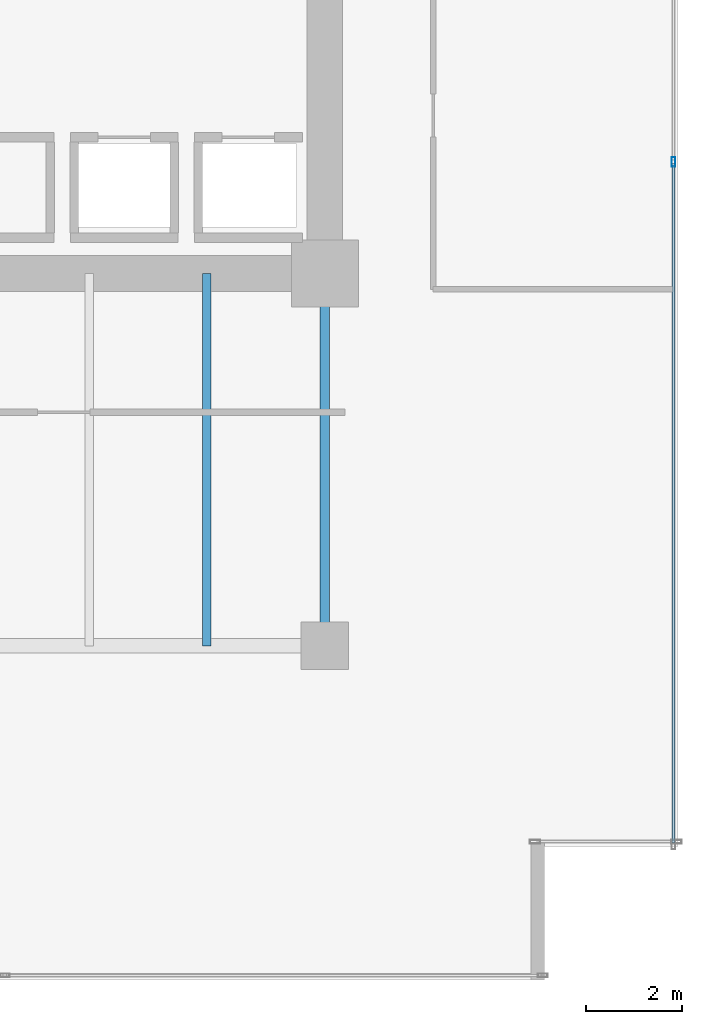
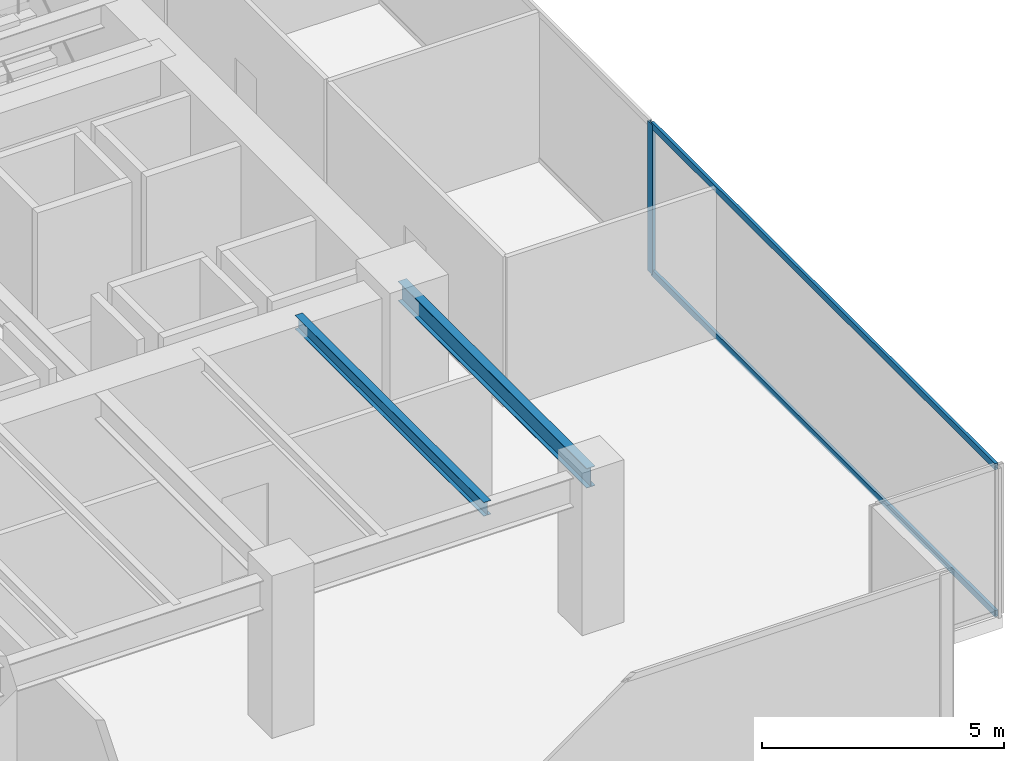
# One storey, part 24 of 35: 3 members, 2 beams, 1 element without a shape of its own.
"""IFC4 building model written with IfcOpenShell, lengths in metres."""

from ifc_helpers import new_model, si_unit, direction, frame, origin, origin_2d, place, context, subcontext, project, spatial, hollow_rectangle, i_section, extrude, source, transform, mapped, material, layer, layer_set, material_profile, profile_set, type_object, type_shapes, element, aggregate, save


model = new_model("IFC4")

# Units and contexts
model_context = context("Model", 3, precision=1e-05, world=origin(), true_north=direction((0.0, 1.0)))
body_context = subcontext(model_context, "Body", "Model", "MODEL_VIEW")
ifc_project = project(units=[si_unit("LENGTHUNIT", "METRE"), si_unit("AREAUNIT", "SQUARE_METRE"), si_unit("VOLUMEUNIT", "CUBIC_METRE"), si_unit("PLANEANGLEUNIT", "RADIAN"), si_unit("MASSUNIT", "GRAM", prefix="KILO")], contexts=[model_context])

# Site, building, storey
site_placement = place(None, origin())
site = spatial("IfcSite", under=ifc_project, at=site_placement, CompositionType="ELEMENT")
building_placement = place(site_placement, origin())
building = spatial("IfcBuilding", under=site, at=building_placement, Name="Haelvirn Gate Laboratories", CompositionType="ELEMENT")
storey_placement = place(building_placement, frame((0.0, 0.0, 66.199951171875)))
storey = spatial("IfcBuildingStorey", under=building, at=storey_placement, Name="L16", CompositionType="ELEMENT", Elevation=66.199951171875)

# Beams
ifc_material_1 = material(Name="Steel SM355", Category="steel")
ifc_material_profile_1 = material_profile(ifc_material_1, i_section(OverallWidth=0.199951171875, OverallDepth=0.5, WebThickness=0.010009765625, FlangeThickness=0.01611328125, at=origin_2d()), Name="H-500x200x10x16")
ifc_profile_set_1 = profile_set([ifc_material_profile_1], Name="Steel SM355")
beam_type_1 = type_object("IfcBeamType", Name="BM-SP-500", PredefinedType="SPANDREL", material=ifc_profile_set_1)
shared_shape_1 = source(origin(), body_context, "Body", "SweptSolid", [
    extrude(i_section(OverallWidth=0.199951171875, OverallDepth=0.5, WebThickness=0.010009765625, FlangeThickness=0.01611328125, at=origin_2d()), origin(), (0.0, 0.0, 1.0), 7.800048828125),
])
type_shapes(beam_type_1, [shared_shape_1])
beam_1_placement = place(storey_placement, frame((67.39990234375, 7.0, 3.530029296875), z_axis=(0.0, 1.0, 0.0), x_axis=(-1.0, 0.0, 0.0)))
element("IfcBeam", 1, at=beam_1_placement, inside=storey, type_object=beam_type_1, Name="L16 Perimeter Spandrel X67.4 (7.0-14.8)", PredefinedType="SPANDREL", context=body_context, shape_type="MappedRepresentation", body=[
    mapped(shared_shape_1, transform((0.0, 0.0, 0.0), scale=1.0)),
])
ifc_material_profile_2 = material_profile(ifc_material_1, i_section(OverallWidth=0.175048828125, OverallDepth=0.35009765625, WebThickness=0.007080078125, FlangeThickness=0.010986328125, at=origin_2d()), Name="H-350x175x7x11")
ifc_profile_set_2 = profile_set([ifc_material_profile_2], Name="Steel SM355")
beam_type_2 = type_object("IfcBeamType", Name="BM-J-350", PredefinedType="JOIST", material=ifc_profile_set_2)
shared_shape_2 = source(origin(), body_context, "Body", "SweptSolid", [
    extrude(i_section(OverallWidth=0.175048828125, OverallDepth=0.35009765625, WebThickness=0.007080078125, FlangeThickness=0.010986328125, at=origin_2d()), origin(), (0.0, 0.0, 1.0), 7.800048828125),
])
type_shapes(beam_type_2, [shared_shape_2])
beam_2_placement = place(storey_placement, frame((64.929931640625, 7.0, 3.60498046875), z_axis=(0.0, 1.0, 0.0), x_axis=(-1.0, 0.0, 0.0)))
element("IfcBeam", 2, at=beam_2_placement, inside=storey, type_object=beam_type_2, Name="L16 Composite Lab Joist South X64.93", PredefinedType="JOIST", context=body_context, shape_type="MappedRepresentation", body=[
    mapped(shared_shape_2, transform((0.0, 0.0, 0.0), scale=1.0)),
])

# Curtain wall, members
ifc_material_2 = material(Name="Anodised bronze unitised aluminium & triple low-E glass", Category="aluminium")
ifc_layer = layer(ifc_material_2, 0.18408203125, Name="CW-SYS-2")
ifc_layer_set = layer_set([ifc_layer], Name="Anodised bronze unitised aluminium & triple low-E glass")
curtain_wall_type = type_object("IfcCurtainWallType", Name="CW-SYS-2", PredefinedType="NOTDEFINED", material=ifc_layer_set)
curtain_wall_placement = place(storey_placement, origin())
curtain_wall = element("IfcCurtainWall", 3, at=curtain_wall_placement, inside=storey, type_object=curtain_wall_type, Name="L16 Unitised Curtain Wall CW-L16-P0-E07", PredefinedType="NOTDEFINED")
ifc_material_3 = material(Name="Extruded aluminium 6063-T6 (anodised bronze)", Category="aluminium")
ifc_material_profile_3 = material_profile(ifc_material_3, hollow_rectangle(XDim=0.074951171875, YDim=0.199951171875, WallThickness=0.0048828125, at=origin_2d()), Name="CWM-200x75x5")
ifc_profile_set_3 = profile_set([ifc_material_profile_3], Name="Extruded aluminium 6063-T6 (anodised bronze)")
member_type_1 = type_object("IfcMemberType", Name="CWM-T200", PredefinedType="MULLION", material=ifc_profile_set_3)
shared_shape_3 = source(origin(), body_context, "Body", "SweptSolid", [
    extrude(hollow_rectangle(XDim=0.074951171875, YDim=0.199951171875, WallThickness=0.0048828125, at=origin_2d()), origin(), (0.0, 0.0, 1.0), 3.780029296875),
])
type_shapes(member_type_1, [shared_shape_3])
member_1_placement = place(storey_placement, frame((74.699951171875, 17.13330078125, 0.0), z_axis=(0.0, 0.0, 1.0), x_axis=(-1.0, 0.0, 0.0)))
member_1 = element("IfcMember", 4, at=member_1_placement, type_object=member_type_1, Name="CW2 mullion 2", PredefinedType="MULLION", context=body_context, shape_type="MappedRepresentation", body=[
    mapped(shared_shape_3, transform((0.0, 0.0, 0.0), scale=1.0)),
])
ifc_material_profile_4 = material_profile(ifc_material_3, hollow_rectangle(XDim=0.070068359375, YDim=0.159912109375, WallThickness=0.0048828125, at=origin_2d()), Name="CWT-160x70x5")
ifc_profile_set_4 = profile_set([ifc_material_profile_4], Name="Extruded aluminium 6063-T6 (anodised bronze)")
member_type_2 = type_object("IfcMemberType", Name="CWT-T160", PredefinedType="USERDEFINED", material=ifc_profile_set_4)
shared_shape_4 = source(origin(), body_context, "Body", "SweptSolid", [
    extrude(hollow_rectangle(XDim=0.070068359375, YDim=0.159912109375, WallThickness=0.0048828125, at=origin_2d()), origin(), (0.0, 0.0, 1.0), 14.220947265625),
])
type_shapes(member_type_2, [shared_shape_4])
member_2_placement = place(storey_placement, frame((74.699951171875, 2.875, 0.03515625), z_axis=(0.0, 1.0, 0.0), x_axis=(-1.0, 0.0, 0.0)))
member_2 = element("IfcMember", 5, at=member_2_placement, type_object=member_type_2, Name="CW2 transom 1.1", ObjectType="TRANSOM", PredefinedType="USERDEFINED", context=body_context, shape_type="MappedRepresentation", body=[
    mapped(shared_shape_4, transform((0.0, 0.0, 0.0), scale=1.0)),
])
member_3_placement = place(storey_placement, frame((74.699951171875, 2.875, 3.7451171875), z_axis=(0.0, 1.0, 0.0), x_axis=(-1.0, 0.0, 0.0)))
member_3 = element("IfcMember", 6, at=member_3_placement, type_object=member_type_2, Name="CW2 transom 1.2", ObjectType="TRANSOM", PredefinedType="USERDEFINED", context=body_context, shape_type="MappedRepresentation", body=[
    mapped(shared_shape_4, transform((0.0, 0.0, 0.0), scale=1.0)),
])
aggregate(curtain_wall, [member_1, member_2, member_3])

save(model, "model.ifc")
